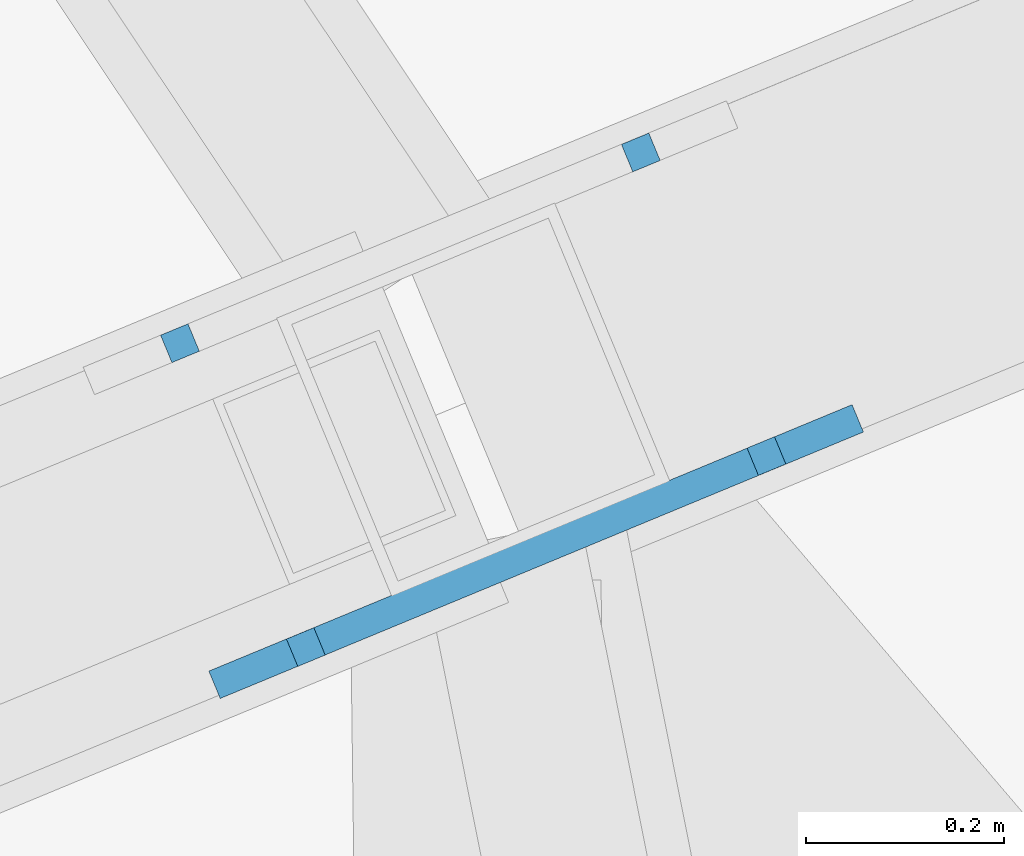
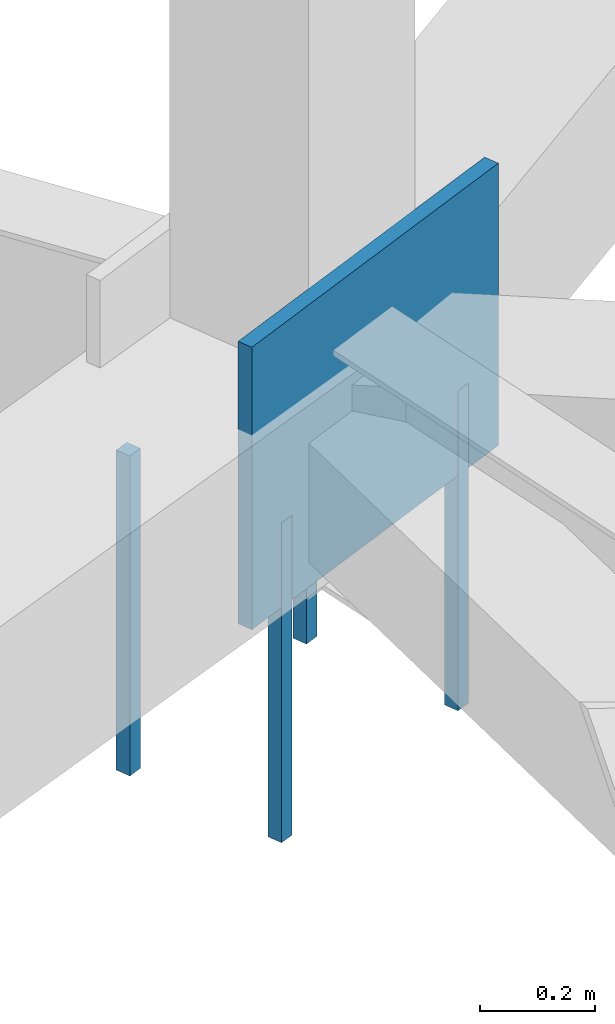
# One storey, part 258 of 278: 4 mechanical fasteners, 1 discrete accessory.
"""IFC4 building model written with IfcOpenShell, lengths in metres."""

from ifc_helpers import new_model, si_unit, direction, frame, origin, origin_2d, place, context, subcontext, project, spatial, rectangle, extrude, material, layer, layer_set, type_object, element, save


model = new_model("IFC4")

# Units and contexts
model_context = context("Model", 3, precision=1e-05, world=origin(), true_north=direction((0.0, 1.0)))
body_context = subcontext(model_context, "Body", "Model", "MODEL_VIEW")
ifc_project = project(units=[si_unit("LENGTHUNIT", "METRE"), si_unit("AREAUNIT", "SQUARE_METRE"), si_unit("VOLUMEUNIT", "CUBIC_METRE"), si_unit("PLANEANGLEUNIT", "RADIAN"), si_unit("MASSUNIT", "GRAM", prefix="KILO")], contexts=[model_context])

# Site, building, storey
site_placement = place(None, origin())
site = spatial("IfcSite", under=ifc_project, at=site_placement, CompositionType="ELEMENT")
building_placement = place(site_placement, origin())
building = spatial("IfcBuilding", under=site, at=building_placement, Name="Ogive Plaza Stadium", CompositionType="ELEMENT")
storey_placement = place(building_placement, frame((0.0, 0.0, 29.0)))
storey = spatial("IfcBuildingStorey", under=building, at=storey_placement, Name="Roof", CompositionType="ELEMENT", Elevation=29.0)

# Mechanical fasteners
ifc_material_1 = material(Name="Steel ASTM A992 Grade 50", Category="steel")
mechanical_fastener_type = type_object("IfcMechanicalFastenerType", Name="Anchor bolt M30 x 600", PredefinedType="ANCHORBOLT", material=ifc_material_1)
for number, where, z_axis, x_axis, name in (
    (1, (71.124755859375, 68.0576171875, -0.5), (0.0, 0.0, 1.0), (0.923879532511, 0.382683432365, 0.0), "ANCHOR BOLT 40 BP 1.1"),
    (2, (70.658203125, 67.864501953125, -0.5), (0.0, 0.0, 1.0), (0.923879532511, 0.382683432365, 0.0), "ANCHOR BOLT 40 BP 1.2"),
    (3, (71.251953125, 67.750244140625, -0.5), (0.0, 0.0, 1.0), (0.923879532511, 0.382683432365, 0.0), "ANCHOR BOLT 40 BP 2.1"),
    (4, (70.78564453125, 67.556884765625, -0.5), (0.0, 0.0, 1.0), (0.923879532511, 0.382683432365, 0.0), "ANCHOR BOLT 40 BP 2.2"),
):
    element("IfcMechanicalFastener", number, at=place(storey_placement, frame(where, z_axis=z_axis, x_axis=x_axis)), inside=storey, type_object=mechanical_fastener_type, Name=name, PredefinedType="ANCHORBOLT", context=body_context, shape_type="SweptSolid", body=[
        extrude(rectangle(XDim=0.030029296875, YDim=0.030029296875, at=origin_2d()), origin(), (0.0, 0.0, 1.0), 0.679931640625),
    ])

# Discrete accessory
ifc_material_2 = material(Name="Steel ASTM A992 Grade 50", Category="steel")
ifc_layer = layer(ifc_material_2, 0.030029296875)
ifc_layer_set = layer_set([ifc_layer], Name="Steel ASTM A992 Grade 50")
discrete_accessory_type = type_object("IfcDiscreteAccessoryType", Name="Truss root foot cleat plate 30", PredefinedType="ANCHORPLATE", material=ifc_layer_set)
discrete_accessory_placement = place(storey_placement, frame((71.018798828125, 67.653564453125, 0.0), z_axis=(0.0, 0.0, 1.0), x_axis=(0.923879532511, 0.382683432365, 0.0)))
element("IfcDiscreteAccessory", 5, at=discrete_accessory_placement, inside=storey, type_object=discrete_accessory_type, Name="TRUSS ROOT FOOT CLEAT PLATE 40 2", PredefinedType="ANCHORPLATE", context=body_context, shape_type="SweptSolid", body=[
    extrude(rectangle(XDim=0.704833984375, YDim=0.030029296875, at=origin_2d()), origin(), (0.0, 0.0, 1.0), 0.60009765625),
])

save(model, "model.ifc")
